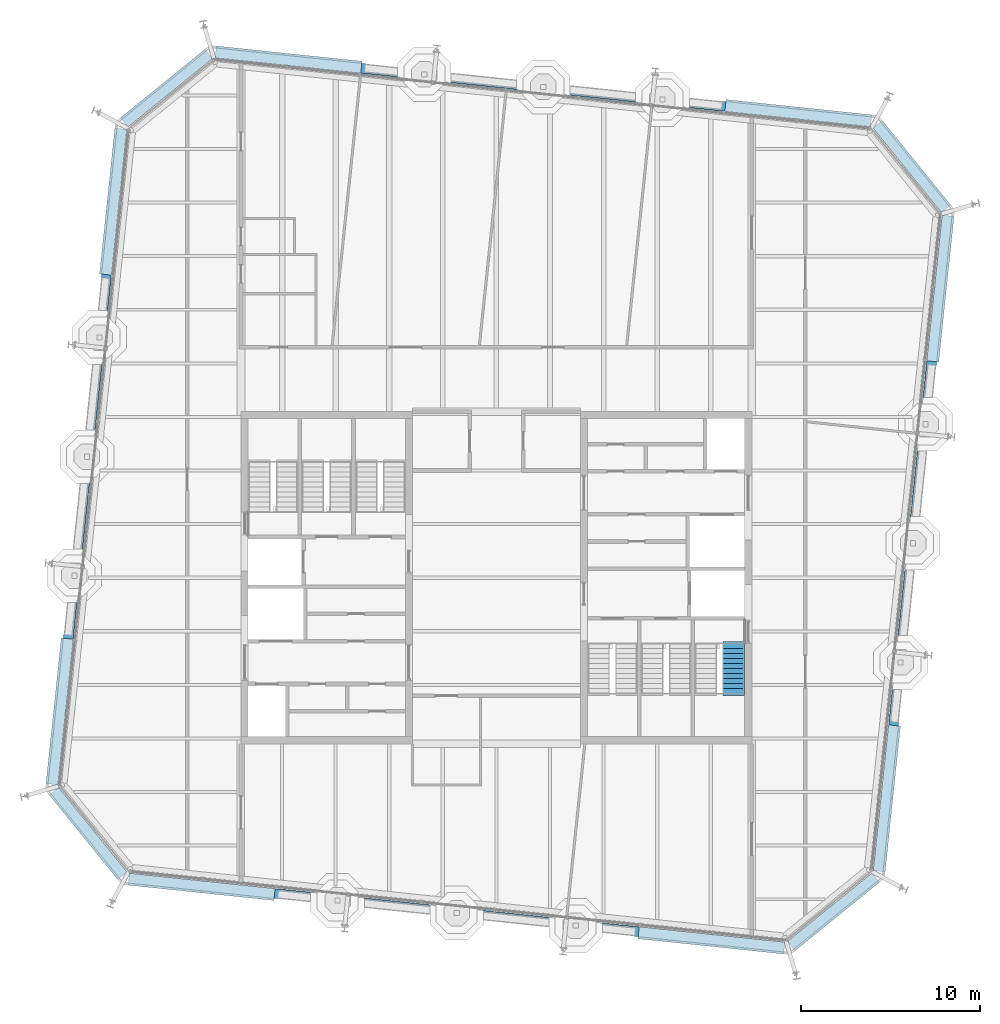
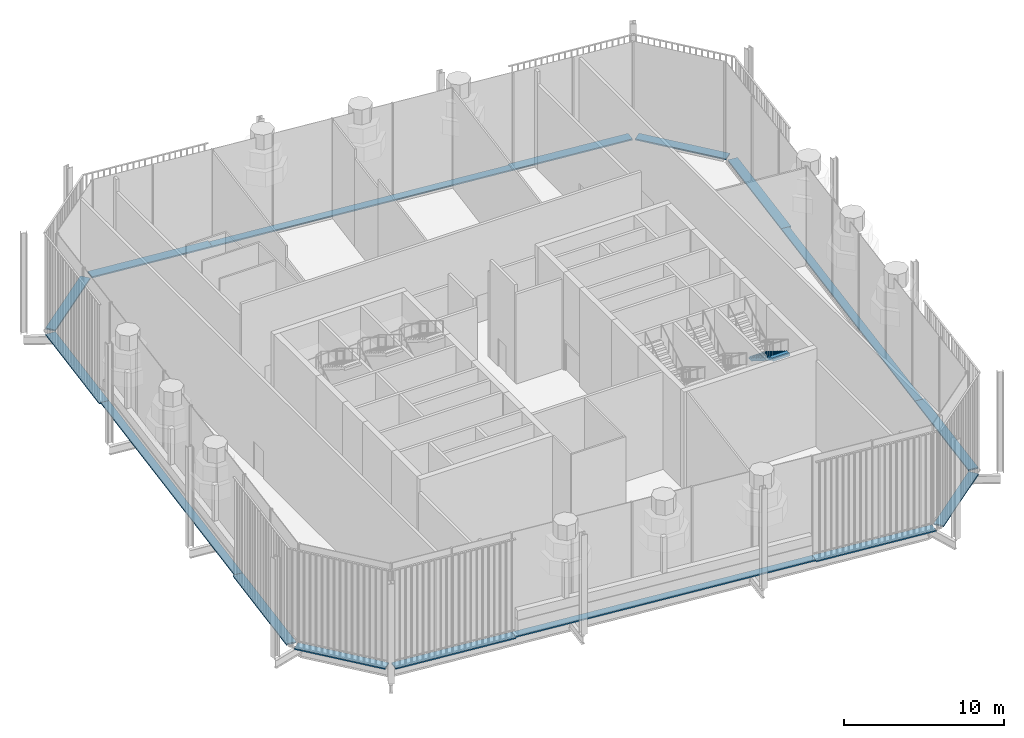
# One storey, part 14 of 17: 16 discrete accessories, 1 stair flight, 1 element without a shape of its own.
"""IFC4 building model written with IfcOpenShell, lengths in metres."""

from ifc_helpers import new_model, si_unit, direction, frame, origin, origin_2d, place, context, subcontext, project, spatial, polyline, rectangle, outline, extrude, material, type_object, element, aggregate, save


model = new_model("IFC4")

# Units and contexts
model_context = context("Model", 3, precision=1e-05, world=origin(), true_north=direction((0.0, 1.0)))
body_context = subcontext(model_context, "Body", "Model", "MODEL_VIEW")
ifc_project = project(units=[si_unit("LENGTHUNIT", "METRE"), si_unit("AREAUNIT", "SQUARE_METRE"), si_unit("VOLUMEUNIT", "CUBIC_METRE"), si_unit("PLANEANGLEUNIT", "RADIAN"), si_unit("MASSUNIT", "GRAM", prefix="KILO")], contexts=[model_context])

# Site, building, storey
site_placement = place(None, origin())
site = spatial("IfcSite", under=ifc_project, at=site_placement, CompositionType="ELEMENT")
building_placement = place(site_placement, origin())
building = spatial("IfcBuilding", under=site, at=building_placement, Name="Millrace Tower", CompositionType="ELEMENT")
storey_placement = place(building_placement, frame((0.0, 0.0, 311.10009765625)))
storey = spatial("IfcBuildingStorey", under=building, at=storey_placement, Name="L72", CompositionType="ELEMENT", Elevation=311.10009765625)

# Stair, stair flight
ifc_material_1 = material(Name="Concrete C35", Category="concrete")
stair_type = type_object("IfcStairType", Name="Exit stair", PredefinedType="HALF_TURN_STAIR", material=ifc_material_1)
stair_placement = place(storey_placement, origin())
stair = element("IfcStair", 1, at=stair_placement, inside=storey, type_object=stair_type, Name="Stair 1 E L72", PredefinedType="HALF_TURN_STAIR")
ifc_material_2 = material(Name="Concrete C35", Category="concrete")
stair_flight_type = type_object("IfcStairFlightType", Name="Exit stair flight", PredefinedType="STRAIGHT", material=ifc_material_2)
stair_flight_placement = place(storey_placement, frame((13.2900390625, -3.679931640625, 3.7998046875), z_axis=(0.0, 0.0, 1.0), x_axis=(0.0, -1.0, 0.0)))
stair_flight = element("IfcStairFlight", 2, at=stair_flight_placement, type_object=stair_flight_type, Name="ST12 flight 3", NumberOfRisers=11, NumberOfTreads=10, PredefinedType="STRAIGHT", RiserHeight=0.172727273, TreadLength=0.28, context=body_context, shape_type="SweptSolid", body=[
    extrude(outline(polyline([(-0.1201171875, -0.0400390625), (-0.1201171875, 0.0), (0.0, 0.0), (0.0, 0.172607421875), (0.280029296875, 0.172607421875), (0.280029296875, 0.345458984375), (0.56005859375, 0.345458984375), (0.56005859375, 0.51806640625), (0.840087890625, 0.51806640625), (0.840087890625, 0.69091796875), (1.1201171875, 0.69091796875), (1.1201171875, 0.863525390625), (1.39990234375, 0.863525390625), (1.39990234375, 1.036376953125), (1.679931640625, 1.036376953125), (1.679931640625, 1.208984375), (1.9599609375, 1.208984375), (1.9599609375, 1.3818359375), (2.239990234375, 1.3818359375), (2.239990234375, 1.554443359375), (2.52001953125, 1.554443359375), (2.52001953125, 1.727294921875), (2.800048828125, 1.727294921875), (2.800048828125, 1.747314453125), (2.919921875, 1.747314453125), (2.919921875, 1.551025390625), (2.800048828125, 1.551025390625), (0.285400390625, 0.0), (0.285400390625, -0.0400390625), (-0.1201171875, -0.0400390625)])), frame((0.0, 0.60986328125, 0.0), z_axis=(0.0, -1.0, 0.0), x_axis=(1.0, 0.0, 0.0)), (0.0, 0.0, 1.0), 1.219970703125),
])
aggregate(stair, [stair_flight])

# Discrete accessories
ifc_material_3 = material(Name="Stainless steel ASTM A240 type 316", Category="steel")
discrete_accessory_type = type_object("IfcDiscreteAccessoryType", Name="Thermally broken screen support rail", PredefinedType="BRACKET", material=ifc_material_3)
discrete_accessory_1_placement = place(storey_placement, frame((-22.856201171875, -14.320556640625, -0.000244140625), z_axis=(0.0, 0.0, 1.0), x_axis=(0.629320278945, -0.777146052237, 0.0)))
element("IfcDiscreteAccessory", 3, at=discrete_accessory_1_placement, inside=storey, type_object=discrete_accessory_type, Name="Thermally broken screen support rail E-F01 L72 1", PredefinedType="BRACKET", context=body_context, shape_type="SweptSolid", body=[
    extrude(rectangle(XDim=6.0810546875, YDim=0.669921875, at=origin_2d()), origin(), (0.0, 0.0, 1.0), 0.10009765625),
])
discrete_accessory_2_placement = place(storey_placement, frame((-16.50537109375, -17.307373046875, -0.000244140625), z_axis=(0.0, 0.0, 1.0), x_axis=(0.994521896217, -0.104528455196, 0.0)))
element("IfcDiscreteAccessory", 4, at=discrete_accessory_2_placement, inside=storey, type_object=discrete_accessory_type, Name="Thermally broken screen support rail E-F02 L72 1", PredefinedType="BRACKET", context=body_context, shape_type="SweptSolid", body=[
    extrude(rectangle(XDim=8.199951171875, YDim=0.669921875, at=origin_2d()), origin(), (0.0, 0.0, 1.0), 0.10009765625),
])
discrete_accessory_3_placement = place(storey_placement, frame((-2.227783203125, -18.747802734375, -0.000244140625), z_axis=(0.0, 0.0, 1.0), x_axis=(0.994521896217, -0.104528455196, 0.0)))
element("IfcDiscreteAccessory", 5, at=discrete_accessory_3_placement, inside=storey, type_object=discrete_accessory_type, Name="Thermally broken screen support rail E-F02 L72 2", PredefinedType="BRACKET", context=body_context, shape_type="SweptSolid", body=[
    extrude(rectangle(XDim=20.5, YDim=0.550048828125, at=origin_2d()), origin(), (0.0, 0.0, 1.0), 0.10009765625),
])
discrete_accessory_4_placement = place(storey_placement, frame((12.037353515625, -20.307373046875, -0.000244140625), z_axis=(0.0, 0.0, 1.0), x_axis=(0.994521896217, -0.104528455196, 0.0)))
element("IfcDiscreteAccessory", 6, at=discrete_accessory_4_placement, inside=storey, type_object=discrete_accessory_type, Name="Thermally broken screen support rail E-F02 L72 3", PredefinedType="BRACKET", context=body_context, shape_type="SweptSolid", body=[
    extrude(rectangle(XDim=8.199951171875, YDim=0.669921875, at=origin_2d()), origin(), (0.0, 0.0, 1.0), 0.10009765625),
])
discrete_accessory_5_placement = place(storey_placement, frame((18.87060546875, -18.706298828125, -0.000244140625), z_axis=(0.0, 0.0, 1.0), x_axis=(0.777146052237, 0.629320278945, 0.0)))
element("IfcDiscreteAccessory", 7, at=discrete_accessory_5_placement, inside=storey, type_object=discrete_accessory_type, Name="Thermally broken screen support rail E-F03 L72 1", PredefinedType="BRACKET", context=body_context, shape_type="SweptSolid", body=[
    extrude(rectangle(XDim=6.0810546875, YDim=0.669921875, at=origin_2d()), origin(), (0.0, 0.0, 1.0), 0.10009765625),
])
discrete_accessory_6_placement = place(storey_placement, frame((21.857421875, -12.355224609375, -0.000244140625), z_axis=(0.0, 0.0, 1.0), x_axis=(0.104528455196, 0.994521896217, 0.0)))
element("IfcDiscreteAccessory", 8, at=discrete_accessory_6_placement, inside=storey, type_object=discrete_accessory_type, Name="Thermally broken screen support rail E-F04 L72 1", PredefinedType="BRACKET", context=body_context, shape_type="SweptSolid", body=[
    extrude(rectangle(XDim=8.199951171875, YDim=0.669921875, at=origin_2d()), origin(), (0.0, 0.0, 1.0), 0.10009765625),
])
discrete_accessory_7_placement = place(storey_placement, frame((23.2978515625, 1.92236328125, -0.000244140625), z_axis=(0.0, 0.0, 1.0), x_axis=(0.104528455196, 0.994521896217, 0.0)))
element("IfcDiscreteAccessory", 9, at=discrete_accessory_7_placement, inside=storey, type_object=discrete_accessory_type, Name="Thermally broken screen support rail E-F04 L72 2", PredefinedType="BRACKET", context=body_context, shape_type="SweptSolid", body=[
    extrude(rectangle(XDim=20.5, YDim=0.550048828125, at=origin_2d()), origin(), (0.0, 0.0, 1.0), 0.10009765625),
])
discrete_accessory_8_placement = place(storey_placement, frame((24.857421875, 16.1875, -0.000244140625), z_axis=(0.0, 0.0, 1.0), x_axis=(0.104528455196, 0.994521896217, 0.0)))
element("IfcDiscreteAccessory", 10, at=discrete_accessory_8_placement, inside=storey, type_object=discrete_accessory_type, Name="Thermally broken screen support rail E-F04 L72 3", PredefinedType="BRACKET", context=body_context, shape_type="SweptSolid", body=[
    extrude(rectangle(XDim=8.199951171875, YDim=0.669921875, at=origin_2d()), origin(), (0.0, 0.0, 1.0), 0.10009765625),
])
discrete_accessory_9_placement = place(storey_placement, frame((23.256103515625, 23.0205078125, -0.000244140625), z_axis=(0.0, 0.0, 1.0), x_axis=(-0.629320278945, 0.777146052237, 0.0)))
element("IfcDiscreteAccessory", 11, at=discrete_accessory_9_placement, inside=storey, type_object=discrete_accessory_type, Name="Thermally broken screen support rail E-F05 L72 1", PredefinedType="BRACKET", context=body_context, shape_type="SweptSolid", body=[
    extrude(rectangle(XDim=6.0810546875, YDim=0.669921875, at=origin_2d()), origin(), (0.0, 0.0, 1.0), 0.10009765625),
])
discrete_accessory_10_placement = place(storey_placement, frame((16.9052734375, 26.007568359375, -0.000244140625), z_axis=(0.0, 0.0, 1.0), x_axis=(-0.994521896217, 0.104528455196, 0.0)))
element("IfcDiscreteAccessory", 12, at=discrete_accessory_10_placement, inside=storey, type_object=discrete_accessory_type, Name="Thermally broken screen support rail E-F06 L72 1", PredefinedType="BRACKET", context=body_context, shape_type="SweptSolid", body=[
    extrude(rectangle(XDim=8.199951171875, YDim=0.669921875, at=origin_2d()), origin(), (0.0, 0.0, 1.0), 0.10009765625),
])
discrete_accessory_11_placement = place(storey_placement, frame((2.627685546875, 27.44775390625, -0.000244140625), z_axis=(0.0, 0.0, 1.0), x_axis=(-0.994521896217, 0.104528455196, 0.0)))
element("IfcDiscreteAccessory", 13, at=discrete_accessory_11_placement, inside=storey, type_object=discrete_accessory_type, Name="Thermally broken screen support rail E-F06 L72 2", PredefinedType="BRACKET", context=body_context, shape_type="SweptSolid", body=[
    extrude(rectangle(XDim=20.5, YDim=0.550048828125, at=origin_2d()), origin(), (0.0, 0.0, 1.0), 0.10009765625),
])
discrete_accessory_12_placement = place(storey_placement, frame((-11.637451171875, 29.00732421875, -0.000244140625), z_axis=(0.0, 0.0, 1.0), x_axis=(-0.994521896217, 0.104528455196, 0.0)))
element("IfcDiscreteAccessory", 14, at=discrete_accessory_12_placement, inside=storey, type_object=discrete_accessory_type, Name="Thermally broken screen support rail E-F06 L72 3", PredefinedType="BRACKET", context=body_context, shape_type="SweptSolid", body=[
    extrude(rectangle(XDim=8.199951171875, YDim=0.669921875, at=origin_2d()), origin(), (0.0, 0.0, 1.0), 0.10009765625),
])
discrete_accessory_13_placement = place(storey_placement, frame((-18.470458984375, 27.40625, -0.000244140625), z_axis=(0.0, 0.0, 1.0), x_axis=(-0.777146052237, -0.629320278945, 0.0)))
element("IfcDiscreteAccessory", 15, at=discrete_accessory_13_placement, inside=storey, type_object=discrete_accessory_type, Name="Thermally broken screen support rail E-F07 L72 1", PredefinedType="BRACKET", context=body_context, shape_type="SweptSolid", body=[
    extrude(rectangle(XDim=6.0810546875, YDim=0.669921875, at=origin_2d()), origin(), (0.0, 0.0, 1.0), 0.10009765625),
])
discrete_accessory_14_placement = place(storey_placement, frame((-21.45751953125, 21.055419921875, -0.000244140625), z_axis=(0.0, 0.0, 1.0), x_axis=(-0.104528455196, -0.994521896217, 0.0)))
element("IfcDiscreteAccessory", 16, at=discrete_accessory_14_placement, inside=storey, type_object=discrete_accessory_type, Name="Thermally broken screen support rail E-F08 L72 1", PredefinedType="BRACKET", context=body_context, shape_type="SweptSolid", body=[
    extrude(rectangle(XDim=8.199951171875, YDim=0.669921875, at=origin_2d()), origin(), (0.0, 0.0, 1.0), 0.10009765625),
])
discrete_accessory_15_placement = place(storey_placement, frame((-22.897705078125, 6.777587890625, -0.000244140625), z_axis=(0.0, 0.0, 1.0), x_axis=(-0.104528455196, -0.994521896217, 0.0)))
element("IfcDiscreteAccessory", 17, at=discrete_accessory_15_placement, inside=storey, type_object=discrete_accessory_type, Name="Thermally broken screen support rail E-F08 L72 2", PredefinedType="BRACKET", context=body_context, shape_type="SweptSolid", body=[
    extrude(rectangle(XDim=20.5, YDim=0.550048828125, at=origin_2d()), origin(), (0.0, 0.0, 1.0), 0.10009765625),
])
discrete_accessory_16_placement = place(storey_placement, frame((-24.45751953125, -7.487548828125, -0.000244140625), z_axis=(0.0, 0.0, 1.0), x_axis=(-0.104528455196, -0.994521896217, 0.0)))
element("IfcDiscreteAccessory", 18, at=discrete_accessory_16_placement, inside=storey, type_object=discrete_accessory_type, Name="Thermally broken screen support rail E-F08 L72 3", PredefinedType="BRACKET", context=body_context, shape_type="SweptSolid", body=[
    extrude(rectangle(XDim=8.199951171875, YDim=0.669921875, at=origin_2d()), origin(), (0.0, 0.0, 1.0), 0.10009765625),
])

save(model, "model.ifc")
